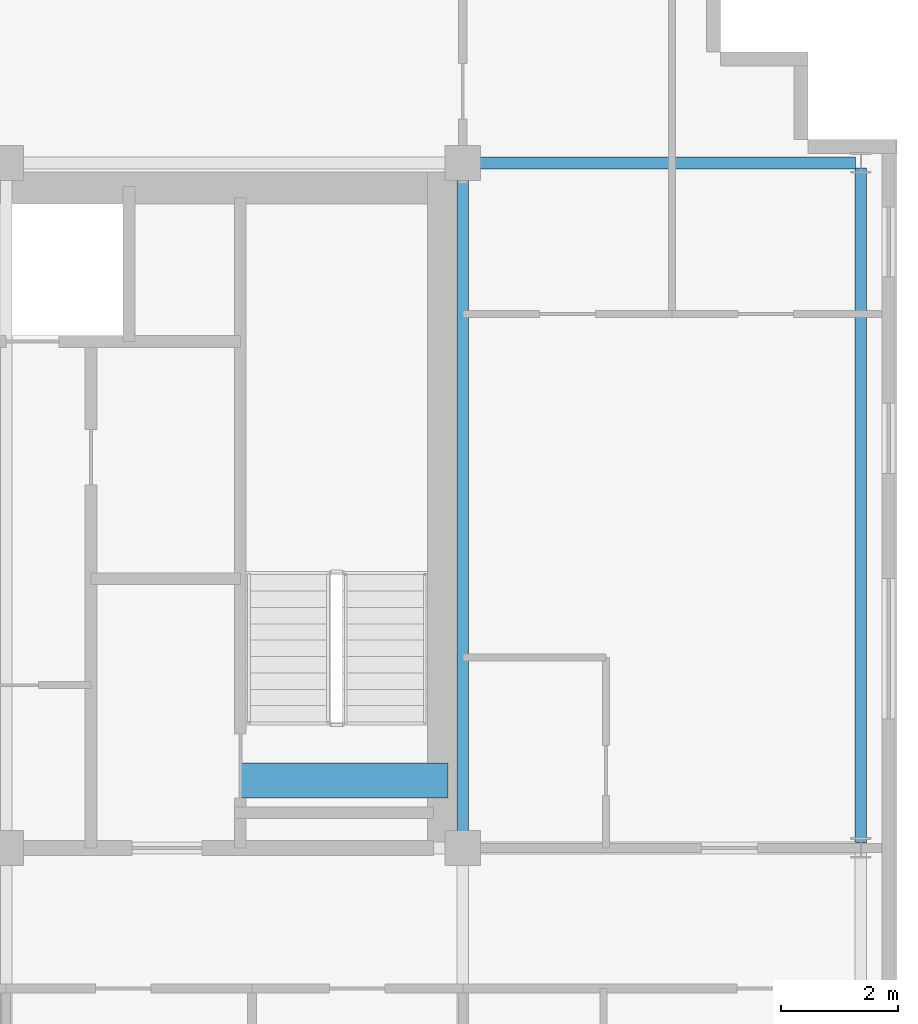
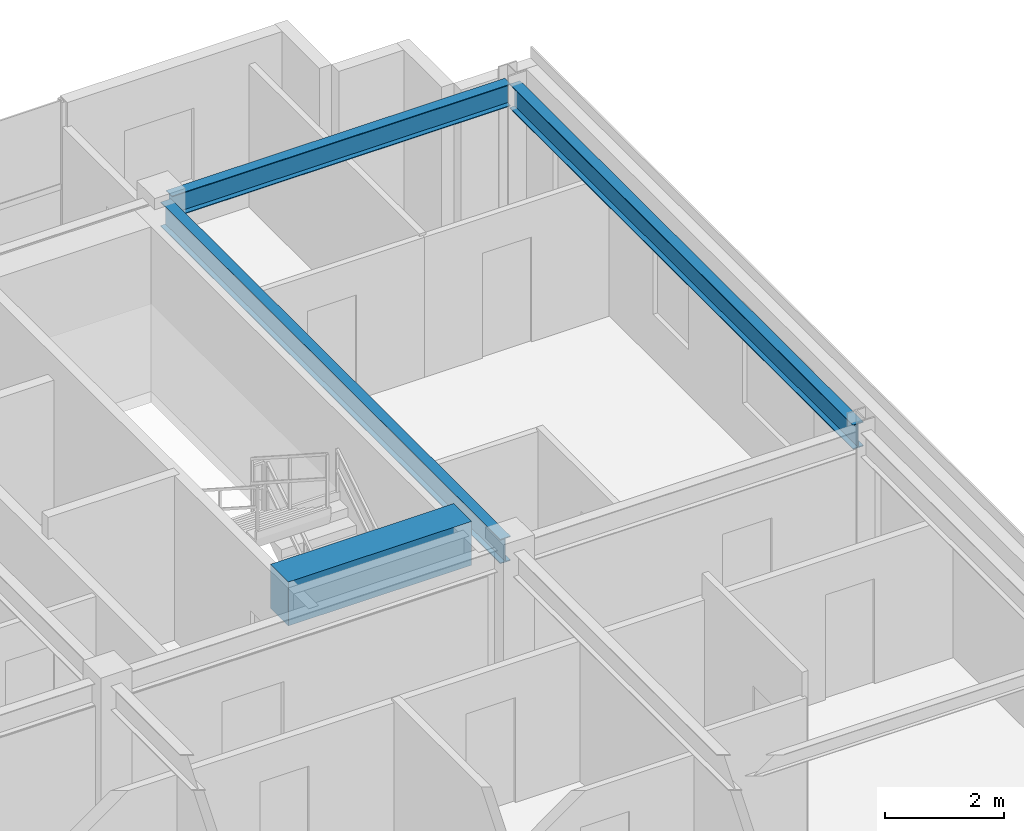
# One storey, part 13 of 22: 4 beams.
"""IFC4 building model written with IfcOpenShell, lengths in metres."""

from ifc_helpers import new_model, si_unit, direction, frame, origin, origin_2d, place, context, subcontext, project, spatial, rectangle, i_section, extrude, source, transform, mapped, material, material_profile, profile_set, type_object, element, save


model = new_model("IFC4")

# Units and contexts
model_context = context("Model", 3, precision=1e-05, world=origin(), true_north=direction((0.0, 1.0)))
body_context = subcontext(model_context, "Body", "Model", "MODEL_VIEW")
ifc_project = project(units=[si_unit("LENGTHUNIT", "METRE"), si_unit("AREAUNIT", "SQUARE_METRE"), si_unit("VOLUMEUNIT", "CUBIC_METRE"), si_unit("PLANEANGLEUNIT", "RADIAN"), si_unit("MASSUNIT", "GRAM", prefix="KILO")], contexts=[model_context])

# Site, building, storey
site_placement = place(None, origin())
site = spatial("IfcSite", under=ifc_project, at=site_placement, CompositionType="ELEMENT")
building_placement = place(site_placement, origin())
building = spatial("IfcBuilding", under=site, at=building_placement, Name="Trelvane Seafront Commons", CompositionType="ELEMENT")
storey_placement = place(building_placement, frame((0.0, 0.0, 273.89990234375)))
storey = spatial("IfcBuildingStorey", under=building, at=storey_placement, Name="L71", CompositionType="ELEMENT", Elevation=273.89990234375)

# Beams
ifc_material_1 = material(Name="Concrete C60/75", Category="concrete")
ifc_material_profile_1 = material_profile(ifc_material_1, rectangle(XDim=0.60009765625, YDim=0.89990234375, at=origin_2d()), Name="RC-600x900")
ifc_profile_set_1 = profile_set([ifc_material_profile_1], Name="Concrete C60/75")
beam_type_1 = type_object("IfcBeamType", Name="STR-LNT-RC600x900", PredefinedType="LINTEL", material=ifc_profile_set_1)
shared_shape_1 = source(origin(), body_context, "Body", "SweptSolid", [
    extrude(rectangle(XDim=0.60009765625, YDim=0.89990234375, at=origin_2d()), origin(), (0.0, 0.0, 1.0), 3.550048828125),
])
beam_1_placement = place(storey_placement, frame((55.0, 34.550048828125, 2.920166015625), z_axis=(1.0, 0.0, 0.0), x_axis=(0.0, 1.0, 0.0)))
element("IfcBeam", 1, at=beam_1_placement, inside=storey, type_object=beam_type_1, Name="L71 Core Coupling Lintel Beam CB-68", PredefinedType="LINTEL", context=body_context, shape_type="MappedRepresentation", body=[
    mapped(shared_shape_1, transform((0.0, 0.0, 0.0), x_axis=(1.0, 0.0, 0.0), y_axis=(0.0, 1.0, 0.0), z_axis=(0.0, 0.0, 1.0), scale=1.0)),
])
ifc_material_2 = material(Name="Steel SM355 (S355)", Category="steel")
ifc_material_profile_2 = material_profile(ifc_material_2, i_section(OverallWidth=0.199951171875, OverallDepth=0.5, WebThickness=0.010009765625, FlangeThickness=0.01611328125, at=origin_2d()), Name="H-500x200x10x16")
ifc_profile_set_2 = profile_set([ifc_material_profile_2], Name="Steel SM355 (S355)")
beam_type_2 = type_object("IfcBeamType", Name="STR-BM-H500", PredefinedType="BEAM", material=ifc_profile_set_2)
shared_shape_2 = source(origin(), body_context, "Body", "SweptSolid", [
    extrude(i_section(OverallWidth=0.199951171875, OverallDepth=0.5, WebThickness=0.010009765625, FlangeThickness=0.01611328125, at=origin_2d()), origin(), (0.0, 0.0, 1.0), 11.39990234375),
])
beam_2_placement = place(storey_placement, frame((58.800048828125, 33.550048828125, 3.1201171875), z_axis=(0.0, 1.0, 0.0), x_axis=(-1.0, 0.0, 0.0)))
element("IfcBeam", 2, at=beam_2_placement, inside=storey, type_object=beam_type_2, Name="L71 Primary Girder G-49", PredefinedType="BEAM", context=body_context, shape_type="MappedRepresentation", body=[
    mapped(shared_shape_2, transform((0.0, 0.0, 0.0), x_axis=(1.0, 0.0, 0.0), y_axis=(0.0, 1.0, 0.0), z_axis=(0.0, 0.0, 1.0), scale=1.0)),
])
ifc_material_profile_3 = material_profile(ifc_material_2, i_section(OverallWidth=0.199951171875, OverallDepth=0.449951171875, WebThickness=0.009033203125, FlangeThickness=0.013916015625, at=origin_2d()), Name="H-450x200x9x14")
ifc_profile_set_3 = profile_set([ifc_material_profile_3], Name="Steel SM355 (S355)")
beam_type_3 = type_object("IfcBeamType", Name="STR-SPD-H450", PredefinedType="SPANDREL", material=ifc_profile_set_3)
shared_shape_3 = source(origin(), body_context, "Body", "SweptSolid", [
    extrude(i_section(OverallWidth=0.199951171875, OverallDepth=0.449951171875, WebThickness=0.009033203125, FlangeThickness=0.013916015625, at=origin_2d()), origin(), (0.0, 0.0, 1.0), 6.5625),
])
beam_3_placement = place(storey_placement, frame((58.949951171875, 45.10009765625, 3.14501953125), z_axis=(1.0, 0.0, 0.0), x_axis=(0.0, 1.0, 0.0)))
element("IfcBeam", 3, at=beam_3_placement, inside=storey, type_object=beam_type_3, Name="L71 Primary Girder G-28", PredefinedType="SPANDREL", context=body_context, shape_type="MappedRepresentation", body=[
    mapped(shared_shape_3, transform((0.0, 0.0, 0.0), x_axis=(1.0, 0.0, 0.0), y_axis=(0.0, 1.0, 0.0), z_axis=(0.0, 0.0, 1.0), scale=1.0)),
])
shared_shape_4 = source(origin(), body_context, "Body", "SweptSolid", [
    extrude(i_section(OverallWidth=0.199951171875, OverallDepth=0.5, WebThickness=0.010009765625, FlangeThickness=0.01611328125, at=origin_2d()), origin(), (0.0, 0.0, 1.0), 11.52490234375),
])
beam_4_placement = place(storey_placement, frame((65.60009765625, 33.487548828125, 3.1201171875), z_axis=(0.0, 1.0, 0.0), x_axis=(-1.0, 0.0, 0.0)))
element("IfcBeam", 4, at=beam_4_placement, inside=storey, type_object=beam_type_2, Name="L71 Primary Girder G-52", PredefinedType="BEAM", context=body_context, shape_type="MappedRepresentation", body=[
    mapped(shared_shape_4, transform((0.0, 0.0, 0.0), x_axis=(1.0, 0.0, 0.0), y_axis=(0.0, 1.0, 0.0), z_axis=(0.0, 0.0, 1.0), scale=1.0)),
])

save(model, "model.ifc")
